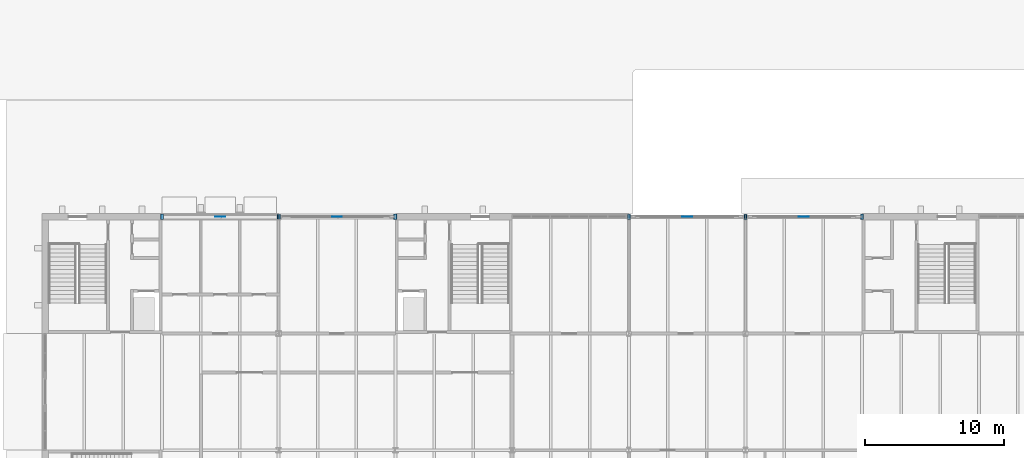
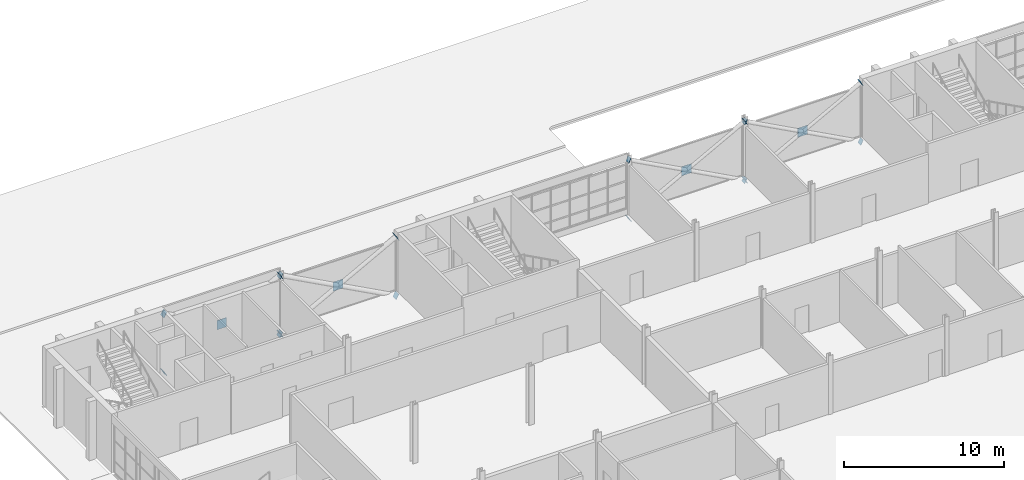
# One storey, part 107 of 116: 20 discrete accessories.
"""IFC4 building model written with IfcOpenShell, lengths in metres."""

from ifc_helpers import new_model, si_unit, direction, frame, origin, origin_2d, place, context, subcontext, project, spatial, rectangle, extrude, material, material_profile, profile_set, type_object, element, save


model = new_model("IFC4")

# Units and contexts
model_context = context("Model", 3, precision=1e-05, world=origin(), true_north=direction((0.0, 1.0)))
body_context = subcontext(model_context, "Body", "Model", "MODEL_VIEW")
ifc_project = project(units=[si_unit("LENGTHUNIT", "METRE"), si_unit("AREAUNIT", "SQUARE_METRE"), si_unit("VOLUMEUNIT", "CUBIC_METRE"), si_unit("PLANEANGLEUNIT", "RADIAN"), si_unit("MASSUNIT", "GRAM", prefix="KILO")], contexts=[model_context])

# Site, building, storey
site_placement = place(None, origin())
site = spatial("IfcSite", under=ifc_project, at=site_placement, CompositionType="ELEMENT")
building_placement = place(site_placement, origin())
building = spatial("IfcBuilding", under=site, at=building_placement, Name="Ardhachandra Cancer Care Centre", CompositionType="ELEMENT")
storey_placement = place(building_placement, origin())
storey = spatial("IfcBuildingStorey", under=building, at=storey_placement, Name="L00", CompositionType="ELEMENT", Elevation=0.0)

# Discrete accessories
ifc_material_1 = material(Name="Steel E250 (IS 2062)", Category="steel")
ifc_material_profile_1 = material_profile(ifc_material_1, rectangle(XDim=0.373046875, YDim=0.373046875, at=origin_2d()), Name="PL 373x373x20")
ifc_profile_set_1 = profile_set([ifc_material_profile_1], Name="Steel E250 (IS 2062)")
discrete_accessory_type_1 = type_object("IfcDiscreteAccessoryType", Name="Brace end plate 373 x 373 x 20", PredefinedType="BRACKET", material=ifc_profile_set_1)
discrete_accessory_1_placement = place(storey_placement, frame((52.800048828125, 96.60009765625, -0.39990234375), z_axis=(0.884384752847, 0.0, 0.466758619558), x_axis=(0.0, 1.0, 0.0)))
element("IfcDiscreteAccessory", 1, at=discrete_accessory_1_placement, inside=storey, type_object=discrete_accessory_type_1, Name="Brace end plate V1-X966-528 L00 A0", PredefinedType="BRACKET", context=body_context, shape_type="SweptSolid", body=[
    extrude(rectangle(XDim=0.373046875, YDim=0.373046875, at=origin_2d()), origin(), (0.0, 0.0, 1.0), 0.019775390625),
])
discrete_accessory_2_placement = place(storey_placement, frame((61.199951171875, 96.60009765625, 4.10009765625), z_axis=(-0.879291966537, 0.0, -0.476283148541), x_axis=(0.0, -1.0, 0.0)))
element("IfcDiscreteAccessory", 2, at=discrete_accessory_2_placement, inside=storey, type_object=discrete_accessory_type_1, Name="Brace end plate V1-X966-528 L00 A1", PredefinedType="BRACKET", context=body_context, shape_type="SweptSolid", body=[
    extrude(rectangle(XDim=0.373046875, YDim=0.373046875, at=origin_2d()), origin(), (0.0, 0.0, 1.0), 0.02001953125),
])
discrete_accessory_3_placement = place(storey_placement, frame((61.199951171875, 96.60009765625, -0.39990234375), z_axis=(-0.884384752847, 0.0, 0.466758619558), x_axis=(0.0, -1.0, 0.0)))
element("IfcDiscreteAccessory", 3, at=discrete_accessory_3_placement, inside=storey, type_object=discrete_accessory_type_1, Name="Brace end plate V1-X966-528 L00 B10", PredefinedType="BRACKET", context=body_context, shape_type="SweptSolid", body=[
    extrude(rectangle(XDim=0.373046875, YDim=0.373046875, at=origin_2d()), origin(), (0.0, 0.0, 1.0), 0.019775390625),
])
discrete_accessory_4_placement = place(storey_placement, frame((52.800048828125, 96.60009765625, 4.10009765625), z_axis=(0.879291966537, 0.0, -0.476283148541), x_axis=(0.0, 1.0, 0.0)))
element("IfcDiscreteAccessory", 4, at=discrete_accessory_4_placement, inside=storey, type_object=discrete_accessory_type_1, Name="Brace end plate V1-X966-528 L00 B21", PredefinedType="BRACKET", context=body_context, shape_type="SweptSolid", body=[
    extrude(rectangle(XDim=0.373046875, YDim=0.373046875, at=origin_2d()), origin(), (0.0, 0.0, 1.0), 0.02001953125),
])
discrete_accessory_5_placement = place(storey_placement, frame((61.199951171875, 96.60009765625, -0.39990234375), z_axis=(0.884384752847, 0.0, 0.466758619558), x_axis=(0.0, 1.0, 0.0)))
element("IfcDiscreteAccessory", 5, at=discrete_accessory_5_placement, inside=storey, type_object=discrete_accessory_type_1, Name="Brace end plate V1-X966-612 L00 A0", PredefinedType="BRACKET", context=body_context, shape_type="SweptSolid", body=[
    extrude(rectangle(XDim=0.373046875, YDim=0.373046875, at=origin_2d()), origin(), (0.0, 0.0, 1.0), 0.019775390625),
])
discrete_accessory_6_placement = place(storey_placement, frame((69.60009765625, 96.60009765625, 4.10009765625), z_axis=(-0.882018256262, 0.0, -0.471215232798), x_axis=(0.0, -1.0, 0.0)))
element("IfcDiscreteAccessory", 6, at=discrete_accessory_6_placement, inside=storey, type_object=discrete_accessory_type_1, Name="Brace end plate V1-X966-612 L00 A1", PredefinedType="BRACKET", context=body_context, shape_type="SweptSolid", body=[
    extrude(rectangle(XDim=0.373046875, YDim=0.373046875, at=origin_2d()), origin(), (0.0, 0.0, 1.0), 0.020263671875),
])
for number, where, z_axis, x_axis, name in (
    (7, (69.60009765625, 96.60009765625, -0.39990234375), (-0.887017774073, 0.0, 0.461735279655), (0.0, -1.0, 0.0), "Brace end plate V1-X966-612 L00 B10"),
    (8, (61.199951171875, 96.60009765625, 4.10009765625), (0.879291966537, 0.0, -0.476283148541), (0.0, 1.0, 0.0), "Brace end plate V1-X966-612 L00 B21"),
):
    element("IfcDiscreteAccessory", number, at=place(storey_placement, frame(where, z_axis=z_axis, x_axis=x_axis)), inside=storey, type_object=discrete_accessory_type_1, Name=name, PredefinedType="BRACKET", context=body_context, shape_type="SweptSolid", body=[
        extrude(rectangle(XDim=0.373046875, YDim=0.373046875, at=origin_2d()), origin(), (0.0, 0.0, 1.0), 0.02001953125),
    ])
ifc_material_2 = material(Name="Steel E250 (IS 2062)", Category="steel")
ifc_material_profile_2 = material_profile(ifc_material_2, rectangle(XDim=0.423828125, YDim=0.423828125, at=origin_2d()), Name="PL 424x424x20")
ifc_profile_set_2 = profile_set([ifc_material_profile_2], Name="Steel E250 (IS 2062)")
discrete_accessory_type_2 = type_object("IfcDiscreteAccessoryType", Name="Brace end plate 424 x 424 x 20", PredefinedType="BRACKET", material=ifc_profile_set_2)
discrete_accessory_7_placement = place(storey_placement, frame((19.199951171875, 96.60009765625, -0.39990234375), z_axis=(0.884384752847, 0.0, 0.466758619558), x_axis=(0.0, 1.0, 0.0)))
element("IfcDiscreteAccessory", 9, at=discrete_accessory_7_placement, inside=storey, type_object=discrete_accessory_type_2, Name="Brace end plate V6-X966-192 L00 A0", PredefinedType="BRACKET", context=body_context, shape_type="SweptSolid", body=[
    extrude(rectangle(XDim=0.423828125, YDim=0.423828125, at=origin_2d()), origin(), (0.0, 0.0, 1.0), 0.019775390625),
])
discrete_accessory_8_placement = place(storey_placement, frame((27.60009765625, 96.60009765625, 4.10009765625), z_axis=(-0.882018256262, 0.0, -0.471215232798), x_axis=(0.0, -1.0, 0.0)))
element("IfcDiscreteAccessory", 10, at=discrete_accessory_8_placement, inside=storey, type_object=discrete_accessory_type_2, Name="Brace end plate V6-X966-192 L00 A1", PredefinedType="BRACKET", context=body_context, shape_type="SweptSolid", body=[
    extrude(rectangle(XDim=0.423828125, YDim=0.423828125, at=origin_2d()), origin(), (0.0, 0.0, 1.0), 0.020263671875),
])
for number, where, z_axis, x_axis, name in (
    (11, (27.60009765625, 96.60009765625, -0.39990234375), (-0.887017774073, 0.0, 0.461735279655), (0.0, -1.0, 0.0), "Brace end plate V6-X966-192 L00 B10"),
    (12, (19.199951171875, 96.60009765625, 4.10009765625), (0.879291966537, 0.0, -0.476283148541), (0.0, 1.0, 0.0), "Brace end plate V6-X966-192 L00 B21"),
):
    element("IfcDiscreteAccessory", number, at=place(storey_placement, frame(where, z_axis=z_axis, x_axis=x_axis)), inside=storey, type_object=discrete_accessory_type_2, Name=name, PredefinedType="BRACKET", context=body_context, shape_type="SweptSolid", body=[
        extrude(rectangle(XDim=0.423828125, YDim=0.423828125, at=origin_2d()), origin(), (0.0, 0.0, 1.0), 0.02001953125),
    ])
discrete_accessory_9_placement = place(storey_placement, frame((27.60009765625, 96.60009765625, -0.39990234375), z_axis=(0.884384752847, 0.0, 0.466758619558), x_axis=(0.0, 1.0, 0.0)))
element("IfcDiscreteAccessory", 13, at=discrete_accessory_9_placement, inside=storey, type_object=discrete_accessory_type_2, Name="Brace end plate V6-X966-276 L00 A0", PredefinedType="BRACKET", context=body_context, shape_type="SweptSolid", body=[
    extrude(rectangle(XDim=0.423828125, YDim=0.423828125, at=origin_2d()), origin(), (0.0, 0.0, 1.0), 0.019775390625),
])
discrete_accessory_10_placement = place(storey_placement, frame((36.0, 96.60009765625, 4.10009765625), z_axis=(-0.879291966537, 0.0, -0.476283148541), x_axis=(0.0, -1.0, 0.0)))
element("IfcDiscreteAccessory", 14, at=discrete_accessory_10_placement, inside=storey, type_object=discrete_accessory_type_2, Name="Brace end plate V6-X966-276 L00 A1", PredefinedType="BRACKET", context=body_context, shape_type="SweptSolid", body=[
    extrude(rectangle(XDim=0.423828125, YDim=0.423828125, at=origin_2d()), origin(), (0.0, 0.0, 1.0), 0.02001953125),
])
discrete_accessory_11_placement = place(storey_placement, frame((36.0, 96.60009765625, -0.39990234375), z_axis=(-0.884384752847, 0.0, 0.466758619558), x_axis=(0.0, -1.0, 0.0)))
element("IfcDiscreteAccessory", 15, at=discrete_accessory_11_placement, inside=storey, type_object=discrete_accessory_type_2, Name="Brace end plate V6-X966-276 L00 B10", PredefinedType="BRACKET", context=body_context, shape_type="SweptSolid", body=[
    extrude(rectangle(XDim=0.423828125, YDim=0.423828125, at=origin_2d()), origin(), (0.0, 0.0, 1.0), 0.019775390625),
])
discrete_accessory_12_placement = place(storey_placement, frame((27.60009765625, 96.60009765625, 4.10009765625), z_axis=(0.879291966537, 0.0, -0.476283148541), x_axis=(0.0, 1.0, 0.0)))
element("IfcDiscreteAccessory", 16, at=discrete_accessory_12_placement, inside=storey, type_object=discrete_accessory_type_2, Name="Brace end plate V6-X966-276 L00 B21", PredefinedType="BRACKET", context=body_context, shape_type="SweptSolid", body=[
    extrude(rectangle(XDim=0.423828125, YDim=0.423828125, at=origin_2d()), origin(), (0.0, 0.0, 1.0), 0.02001953125),
])
ifc_material_3 = material(Name="Steel E250 (IS 2062)", Category="steel")
ifc_material_profile_3 = material_profile(ifc_material_3, rectangle(XDim=0.699951171875, YDim=0.699951171875, at=origin_2d()), Name="PL 700x700x20")
ifc_profile_set_3 = profile_set([ifc_material_profile_3], Name="Steel E250 (IS 2062)")
discrete_accessory_type_3 = type_object("IfcDiscreteAccessoryType", Name="Brace node plate 700 x 700 x 20", PredefinedType="BRACKET", material=ifc_profile_set_3)
for number, where, z_axis, x_axis, name in (
    (17, (23.39990234375, 96.590087890625, 1.85009765625), (0.0, 1.0, 0.0), (-1.0, 0.0, 0.0), "Brace node plate V6-X966-192 L00"),
    (18, (31.800048828125, 96.590087890625, 1.85009765625), (0.0, 1.0, 0.0), (-1.0, 0.0, 0.0), "Brace node plate V6-X966-276 L00"),
    (19, (57.0, 96.590087890625, 1.85009765625), (0.0, 1.0, 0.0), (-1.0, 0.0, 0.0), "Brace node plate V1-X966-528 L00"),
    (20, (65.39990234375, 96.590087890625, 1.85009765625), (0.0, 1.0, 0.0), (-1.0, 0.0, 0.0), "Brace node plate V1-X966-612 L00"),
):
    element("IfcDiscreteAccessory", number, at=place(storey_placement, frame(where, z_axis=z_axis, x_axis=x_axis)), inside=storey, type_object=discrete_accessory_type_3, Name=name, PredefinedType="BRACKET", context=body_context, shape_type="SweptSolid", body=[
        extrude(rectangle(XDim=0.699951171875, YDim=0.699951171875, at=origin_2d()), origin(), (0.0, 0.0, 1.0), 0.02001953125),
    ])

save(model, "model.ifc")
